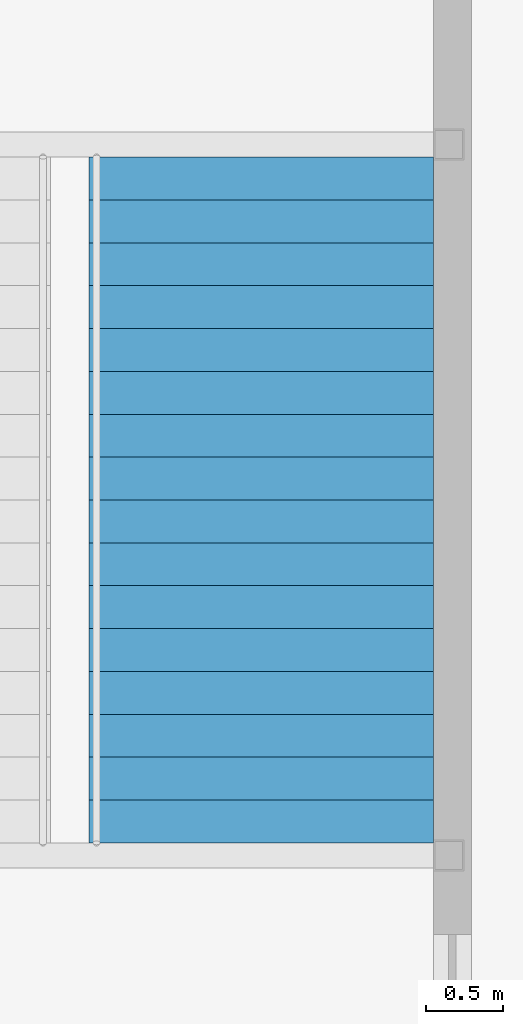
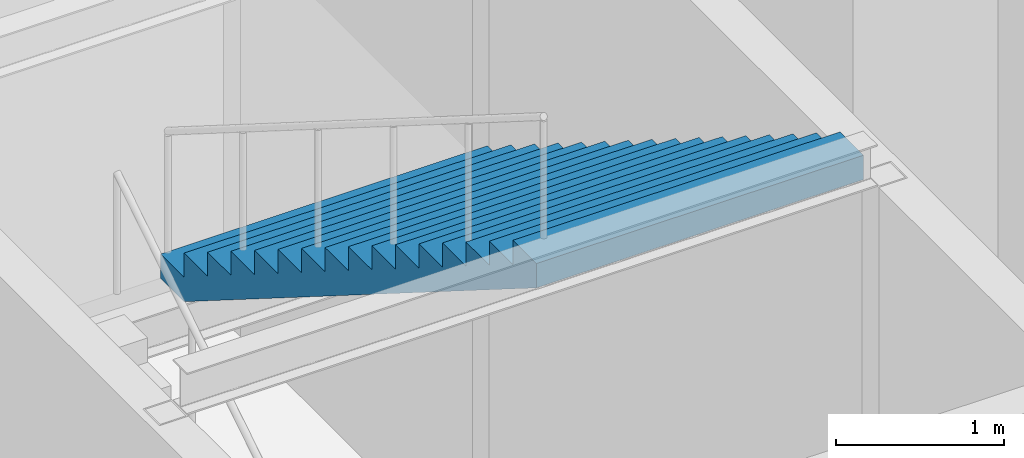
# One storey, part 23 of 26: 1 stair flight, 1 element without a shape of its own.
"""IFC4 building model written with IfcOpenShell, lengths in metres."""

from ifc_helpers import new_model, si_unit, direction, frame, origin, place, context, subcontext, project, spatial, polyline, outline, extrude, material, type_object, element, aggregate, save


model = new_model("IFC4")

# Units and contexts
model_context = context("Model", 3, precision=1e-05, world=origin(), true_north=direction((0.0, 1.0)))
body_context = subcontext(model_context, "Body", "Model", "MODEL_VIEW")
ifc_project = project(units=[si_unit("LENGTHUNIT", "METRE"), si_unit("AREAUNIT", "SQUARE_METRE"), si_unit("VOLUMEUNIT", "CUBIC_METRE"), si_unit("PLANEANGLEUNIT", "RADIAN"), si_unit("MASSUNIT", "GRAM", prefix="KILO")], contexts=[model_context])

# Site, building, storey
site_placement = place(None, origin())
site = spatial("IfcSite", under=ifc_project, at=site_placement, CompositionType="ELEMENT")
building_placement = place(site_placement, origin())
building = spatial("IfcBuilding", under=site, at=building_placement, Name="Dunama Terrace Hotel", CompositionType="ELEMENT")
storey_placement = place(building_placement, origin())
storey = spatial("IfcBuildingStorey", under=building, at=storey_placement, Name="L00", CompositionType="ELEMENT", Elevation=0.0)

# Stair, stair flight
ifc_material_1 = material(Name="Concrete C40/50", Category="concrete")
stair_type = type_object("IfcStairType", Name="Stair P6-6000-2250", PredefinedType="HALF_TURN_STAIR", material=ifc_material_1)
stair_placement = place(storey_placement, origin())
stair = element("IfcStair", 1, at=stair_placement, inside=storey, type_object=stair_type, Name="Stair P6 L00", PredefinedType="HALF_TURN_STAIR")
ifc_material_2 = material(Name="Concrete C40/50", Category="concrete")
stair_flight_type = type_object("IfcStairFlightType", Name="Stair flight P6-6000-2250", PredefinedType="STRAIGHT", material=ifc_material_2)
stair_flight_placement = place(storey_placement, frame((30.25, 55.304931640625, 3.0), z_axis=(0.0, 0.0, 1.0), x_axis=(0.0, -1.0, 0.0)))
stair_flight = element("IfcStairFlight", 2, at=stair_flight_placement, type_object=stair_flight_type, Name="P6 flight 2", NumberOfRisers=17, NumberOfTreads=16, PredefinedType="STRAIGHT", RiserHeight=0.176470588, TreadLength=0.28, context=body_context, shape_type="SweptSolid", body=[
    extrude(outline(polyline([(0.0, 0.0), (0.0, 0.176513671875), (0.280029296875, 0.176513671875), (0.280029296875, 0.35302734375), (0.56005859375, 0.35302734375), (0.56005859375, 0.529296875), (0.840087890625, 0.529296875), (0.840087890625, 0.705810546875), (1.1201171875, 0.705810546875), (1.1201171875, 0.88232421875), (1.39990234375, 0.88232421875), (1.39990234375, 1.058837890625), (1.679931640625, 1.058837890625), (1.679931640625, 1.2353515625), (1.9599609375, 1.2353515625), (1.9599609375, 1.411865234375), (2.239990234375, 1.411865234375), (2.239990234375, 1.588134765625), (2.52001953125, 1.588134765625), (2.52001953125, 1.7646484375), (2.800048828125, 1.7646484375), (2.800048828125, 1.941162109375), (3.080078125, 1.941162109375), (3.080078125, 2.11767578125), (3.360107421875, 2.11767578125), (3.360107421875, 2.294189453125), (3.639892578125, 2.294189453125), (3.639892578125, 2.470703125), (3.919921875, 2.470703125), (3.919921875, 2.64697265625), (4.199951171875, 2.64697265625), (4.199951171875, 2.823486328125), (4.47998046875, 2.823486328125), (4.47998046875, 3.0), (4.47998046875, 2.646240234375), (0.28125, 0.0), (0.0, 0.0)])), frame((0.0, 1.125, 0.0), z_axis=(0.0, -1.0, 0.0), x_axis=(1.0, 0.0, 0.0)), (0.0, 0.0, 1.0), 2.25),
])
aggregate(stair, [stair_flight])

save(model, "model.ifc")
